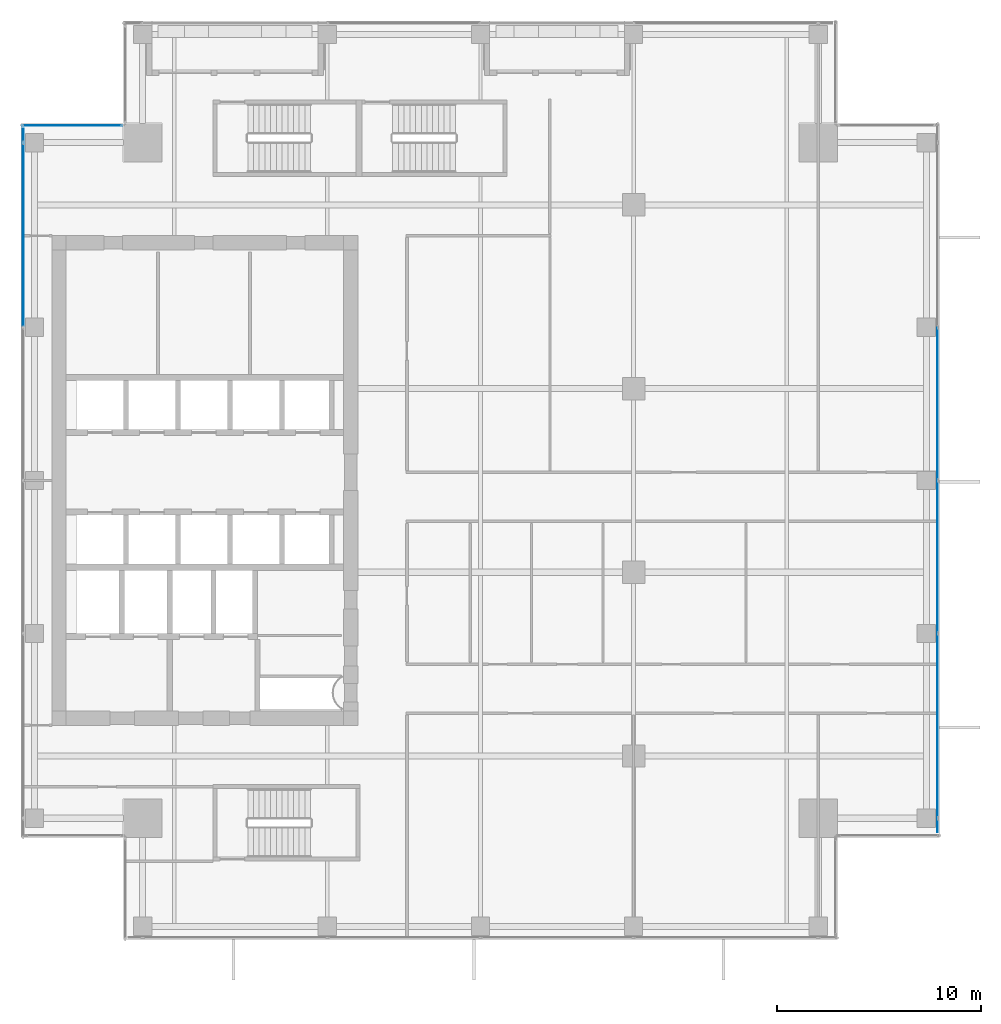
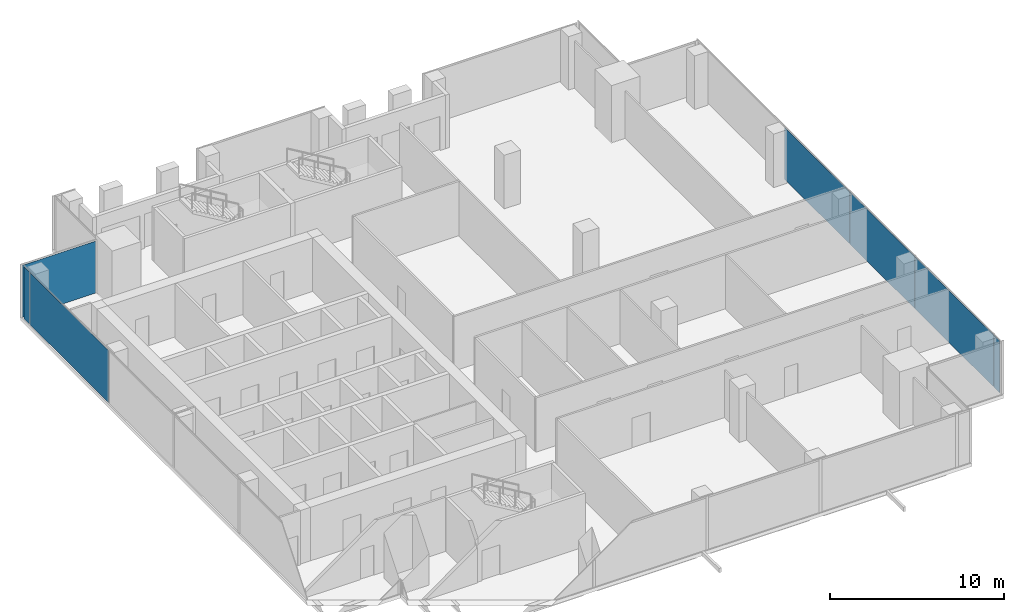
# One storey, part 27 of 34: 7 plates, 3 elements without a shape of their own.
"""IFC4 building model written with IfcOpenShell, lengths in metres."""

from ifc_helpers import new_model, si_unit, direction, frame, origin, origin_2d, place, context, subcontext, project, spatial, rectangle, extrude, source, transform, mapped, material, layer, layer_set, type_object, element, aggregate, save


model = new_model("IFC4")

# Units and contexts
model_context = context("Model", 3, precision=1e-05, world=origin(), true_north=direction((0.0, 1.0)))
body_context = subcontext(model_context, "Body", "Model", "MODEL_VIEW")
ifc_project = project(units=[si_unit("LENGTHUNIT", "METRE"), si_unit("AREAUNIT", "SQUARE_METRE"), si_unit("VOLUMEUNIT", "CUBIC_METRE"), si_unit("PLANEANGLEUNIT", "RADIAN"), si_unit("MASSUNIT", "GRAM", prefix="KILO")], contexts=[model_context])

# Site, building, storey
site_placement = place(None, origin())
site = spatial("IfcSite", under=ifc_project, at=site_placement, CompositionType="ELEMENT")
building_placement = place(site_placement, origin())
building = spatial("IfcBuilding", under=site, at=building_placement, Name="Khomas Fold Tower", CompositionType="ELEMENT")
storey_placement = place(building_placement, frame((0.0, 0.0, 242.199951171875)))
storey = spatial("IfcBuildingStorey", under=building, at=storey_placement, Name="L54", CompositionType="ELEMENT", Elevation=242.199951171875)

# Curtain wall, plate
ifc_material_1 = material(Name="Aluminium framed double glazing", Category="aluminium")
curtain_wall_type = type_object("IfcCurtainWallType", Name="SK-Unitised clear-glass wall, office floors CW2", PredefinedType="NOTDEFINED", material=ifc_material_1)
curtain_wall_1_placement = place(storey_placement, origin())
curtain_wall_1 = element("IfcCurtainWall", 1, at=curtain_wall_1_placement, inside=storey, type_object=curtain_wall_type, Name="CW2 run L54 03-0", PredefinedType="NOTDEFINED")
ifc_material_2 = material(Name="Clear double glazed unit")
ifc_layer = layer(ifc_material_2, 0.030029296875)
ifc_layer_set = layer_set([ifc_layer], Name="Clear double glazed unit")
plate_type = type_object("IfcPlateType", Name="SK-Unitised clear-glass wall, office floors glass panel CW2-P", PredefinedType="CURTAIN_PANEL", material=ifc_layer_set)
shared_shape_1 = source(origin(), body_context, "Body", "SweptSolid", [
    extrude(rectangle(XDim=0.659912109375, YDim=0.030029296875, at=origin_2d()), origin(), (0.0, 0.0, 1.0), 3.639892578125),
])
plate_1_placement = place(storey_placement, frame((49.39990234375, 10.090087890625, 0.0), z_axis=(0.0, 0.0, 1.0), x_axis=(0.0, 1.0, 0.0)))
plate_1 = element("IfcPlate", 2, at=plate_1_placement, type_object=plate_type, Name="CW2 glass panel 1", PredefinedType="CURTAIN_PANEL", context=body_context, shape_type="MappedRepresentation", body=[
    mapped(shared_shape_1, transform((0.0, 0.0, 0.0))),
])

curtain_wall_2_placement = place(storey_placement, origin())
curtain_wall_2 = element("IfcCurtainWall", 3, at=curtain_wall_2_placement, inside=storey, type_object=curtain_wall_type, Name="CW2 run L54 09-0", PredefinedType="NOTDEFINED")
plate_2_placement = place(storey_placement, frame((4.60009765625, 43.909912109375, 0.0), z_axis=(0.0, 0.0, 1.0), x_axis=(0.0, -1.0, 0.0)))
plate_2 = element("IfcPlate", 4, at=plate_2_placement, type_object=plate_type, Name="CW2 glass panel 1", PredefinedType="CURTAIN_PANEL", context=body_context, shape_type="MappedRepresentation", body=[
    mapped(shared_shape_1, transform((0.0, 0.0, 0.0))),
])

# Plate
shared_shape_2 = source(origin(), body_context, "Body", "SweptSolid", [
    extrude(rectangle(XDim=7.43994140625, YDim=0.030029296875, at=origin_2d()), origin(), (0.0, 0.0, 1.0), 3.639892578125),
])
plate_3_placement = place(storey_placement, frame((49.39990234375, 23.25, 0.0), z_axis=(0.0, 0.0, 1.0), x_axis=(0.0, 1.0, 0.0)))
plate_3 = element("IfcPlate", 5, at=plate_3_placement, type_object=plate_type, Name="CW2 glass panel 3", PredefinedType="CURTAIN_PANEL", context=body_context, shape_type="MappedRepresentation", body=[
    mapped(shared_shape_2, transform((0.0, 0.0, 0.0))),
])

plate_4_placement = place(storey_placement, frame((49.39990234375, 30.75, 0.0), z_axis=(0.0, 0.0, 1.0), x_axis=(0.0, 1.0, 0.0)))
plate_4 = element("IfcPlate", 6, at=plate_4_placement, type_object=plate_type, Name="CW2 glass panel 4", PredefinedType="CURTAIN_PANEL", context=body_context, shape_type="MappedRepresentation", body=[
    mapped(shared_shape_2, transform((0.0, 0.0, 0.0))),
])

shared_shape_3 = source(origin(), body_context, "Body", "SweptSolid", [
    extrude(rectangle(XDim=8.989990234375, YDim=0.030029296875, at=origin_2d()), origin(), (0.0, 0.0, 1.0), 3.639892578125),
])
plate_5_placement = place(storey_placement, frame((49.39990234375, 14.97509765625, 0.0), z_axis=(0.0, 0.0, 1.0), x_axis=(0.0, 1.0, 0.0)))
plate_5 = element("IfcPlate", 7, at=plate_5_placement, type_object=plate_type, Name="CW2 glass panel 2", PredefinedType="CURTAIN_PANEL", context=body_context, shape_type="MappedRepresentation", body=[
    mapped(shared_shape_3, transform((0.0, 0.0, 0.0))),
])

aggregate(curtain_wall_1, [plate_1, plate_5, plate_3, plate_4])

plate_6_placement = place(storey_placement, frame((4.60009765625, 39.02490234375, 0.0), z_axis=(0.0, 0.0, 1.0), x_axis=(0.0, -1.0, 0.0)))
plate_6 = element("IfcPlate", 8, at=plate_6_placement, type_object=plate_type, Name="CW2 glass panel 2", PredefinedType="CURTAIN_PANEL", context=body_context, shape_type="MappedRepresentation", body=[
    mapped(shared_shape_3, transform((0.0, 0.0, 0.0))),
])

aggregate(curtain_wall_2, [plate_2, plate_6])

# Curtain wall, plate
curtain_wall_3_placement = place(storey_placement, origin())
curtain_wall_3 = element("IfcCurtainWall", 9, at=curtain_wall_3_placement, inside=storey, type_object=curtain_wall_type, Name="CW2 corner return L54 08", PredefinedType="NOTDEFINED")
shared_shape_4 = source(origin(), body_context, "Body", "SweptSolid", [
    extrude(rectangle(XDim=4.8798828125, YDim=0.030029296875, at=origin_2d()), origin(), (0.0, 0.0, 1.0), 3.639892578125),
])
plate_7_placement = place(storey_placement, frame((7.0, 44.39990234375, 0.0), z_axis=(0.0, 0.0, 1.0), x_axis=(-1.0, 0.0, 0.0)))
plate_7 = element("IfcPlate", 10, at=plate_7_placement, type_object=plate_type, Name="CW2 glass panel 1", PredefinedType="CURTAIN_PANEL", context=body_context, shape_type="MappedRepresentation", body=[
    mapped(shared_shape_4, transform((0.0, 0.0, 0.0))),
])
aggregate(curtain_wall_3, [plate_7])

save(model, "model.ifc")
